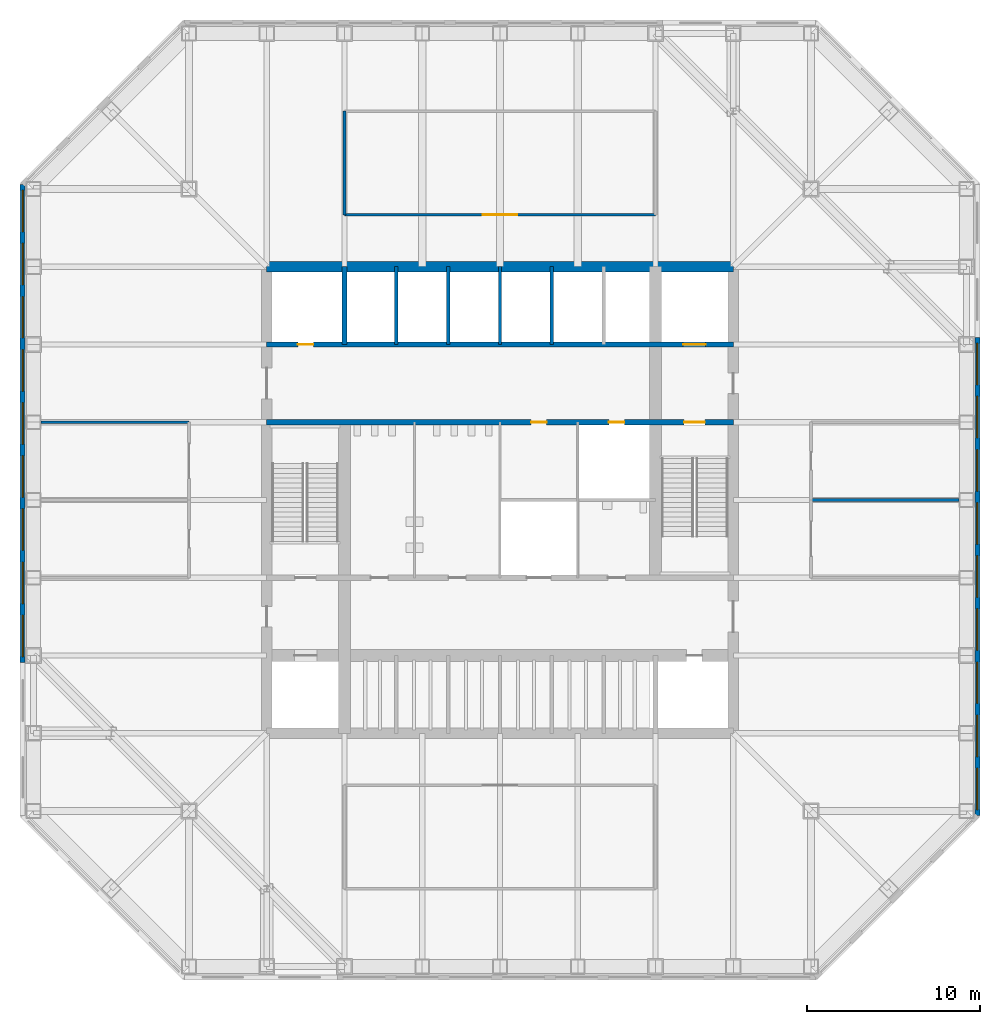
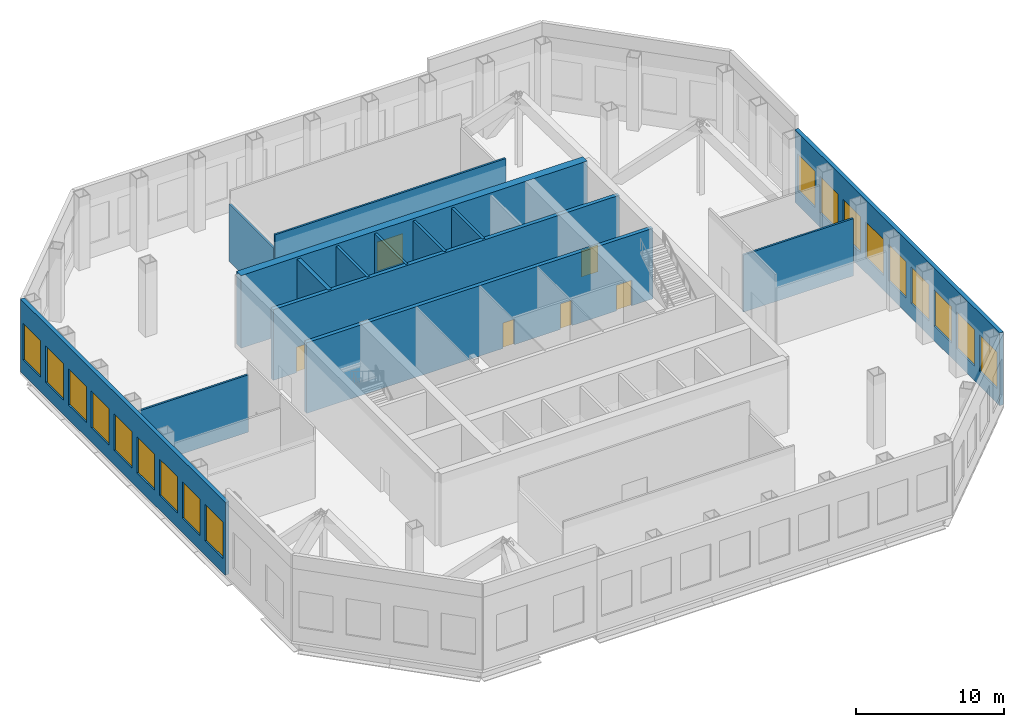
# One storey, part 7 of 11: 18 windows, 14 walls, 6 doors, 24 openings.
"""IFC4 building model written with IfcOpenShell, lengths in metres."""

from ifc_helpers import new_model, si_unit, direction, frame, frame_2d, origin, place, context, subcontext, project, spatial, rectangle, extrude, material, layer, layer_set, type_object, element, fill, save


model = new_model("IFC4")

# Units and contexts
model_context = context("Model", 3, precision=1e-05, world=origin(), true_north=direction((0.0, 1.0)))
body_context = subcontext(model_context, "Body", "Model", "MODEL_VIEW")
ifc_project = project(units=[si_unit("LENGTHUNIT", "METRE"), si_unit("AREAUNIT", "SQUARE_METRE"), si_unit("VOLUMEUNIT", "CUBIC_METRE"), si_unit("PLANEANGLEUNIT", "RADIAN"), si_unit("MASSUNIT", "GRAM", prefix="KILO")], contexts=[model_context])

# Site, building, storey
site_placement = place(None, origin())
site = spatial("IfcSite", under=ifc_project, at=site_placement, CompositionType="ELEMENT")
building_placement = place(site_placement, origin())
building = spatial("IfcBuilding", under=site, at=building_placement, Name="Corais Broadcast Tower", CompositionType="ELEMENT")
storey_placement = place(building_placement, frame((0.0, 0.0, 104.60009765625)))
storey = spatial("IfcBuildingStorey", under=building, at=storey_placement, Name="L23", CompositionType="ELEMENT", Elevation=104.60009765625)

# Wall
ifc_material_1 = material(Name="Concrete blockwork class A, grouted, two-hour", Category="masonry")
ifc_layer_1 = layer(ifc_material_1, 0.300048828125)
ifc_layer_set_1 = layer_set([ifc_layer_1], Name="Concrete blockwork class A, grouted, two-hour")
wall_type_1 = type_object("IfcWallType", Name="Core lobby wall 300", PredefinedType="SOLIDWALL", material=ifc_layer_set_1)
wall_1_placement = place(storey_placement, frame((18.0, 36.0, 0.0), z_axis=(0.0, 0.0, 1.0), x_axis=(0.0, 1.0, 0.0)))
element("IfcWall", 1, at=wall_1_placement, inside=storey, type_object=wall_type_1, Name="CL1 core shaft wall X18B L23", PredefinedType="SOLIDWALL", context=body_context, shape_type="SweptSolid", body=[
    extrude(rectangle(XDim=4.5, YDim=0.300048828125, at=frame_2d((2.25, 0.0))), origin(), (0.0, 0.0, 1.0), 5.81982421875),
])

# Wall, openings, doors
wall_2_placement = place(storey_placement, frame((13.5, 31.5, 0.0), z_axis=(0.0, 0.0, 1.0), x_axis=(1.0, 0.0, 0.0)))
wall_2 = element("IfcWall", 2, at=wall_2_placement, inside=storey, type_object=wall_type_1, Name="CL1 core lobby wall Y315 L23", PredefinedType="SOLIDWALL", context=body_context, shape_type="SweptSolid", body=[
    extrude(rectangle(XDim=27.0, YDim=0.300048828125, at=frame_2d((13.5, 0.0))), origin(), (0.0, 0.0, 1.0), 5.81982421875),
])
opening_1_placement = place(wall_2_placement, frame((24.14990234375, 0.0, 0.0)))
opening_1 = element("IfcOpeningElement", 3, at=opening_1_placement, cuts=wall_2, Name="Opening FD1", PredefinedType="OPENING", context=body_context, shape_type="SweptSolid", body=[
    extrude(rectangle(XDim=1.199951171875, YDim=2.10009765625, at=frame_2d((0.60009765625, 1.050048828125))), frame((0.0, 0.159912109375, 0.0), z_axis=(0.0, -1.0, 0.0), x_axis=(1.0, 0.0, 0.0)), (0.0, 0.0, 1.0), 0.320068359375),
])
opening_2_placement = place(wall_2_placement, frame((15.300048828125, 0.0, 0.0)))
opening_2 = element("IfcOpeningElement", 4, at=opening_2_placement, cuts=wall_2, Name="Opening RD1", PredefinedType="OPENING", context=body_context, shape_type="SweptSolid", body=[
    extrude(rectangle(XDim=0.89990234375, YDim=2.10009765625, at=frame_2d((0.449951171875, 1.050048828125))), frame((0.0, 0.159912109375, 0.0), z_axis=(0.0, -1.0, 0.0), x_axis=(1.0, 0.0, 0.0)), (0.0, 0.0, 1.0), 0.320068359375),
])
opening_3_placement = place(wall_2_placement, frame((19.800048828125, 0.0, 0.0)))
opening_3 = element("IfcOpeningElement", 5, at=opening_3_placement, cuts=wall_2, Name="Opening RD1", PredefinedType="OPENING", context=body_context, shape_type="SweptSolid", body=[
    extrude(rectangle(XDim=0.89990234375, YDim=2.10009765625, at=frame_2d((0.449951171875, 1.050048828125))), frame((0.0, 0.159912109375, 0.0), z_axis=(0.0, -1.0, 0.0), x_axis=(1.0, 0.0, 0.0)), (0.0, 0.0, 1.0), 0.320068359375),
])
ifc_material_2 = material(Name="Steel fire door", Category="steel")
door_type_1 = type_object("IfcDoorType", Name="Fire door 1200x2100", OperationType="SINGLE_SWING_LEFT", PredefinedType="DOOR", material=ifc_material_2)
door_1_placement = place(opening_1_placement, origin())
door_1 = element("IfcDoor", 6, at=door_1_placement, inside=storey, type_object=door_type_1, Name="FD1 stair B door L23", OperationType="SINGLE_SWING_RIGHT", OverallHeight=2.10009765625, OverallWidth=1.199951171875, PredefinedType="DOOR", context=body_context, shape_type="SweptSolid", body=[
    extrude(rectangle(XDim=1.199951171875, YDim=2.10009765625, at=frame_2d((0.60009765625, 1.050048828125))), frame((0.0, 0.02490234375, 0.0), z_axis=(0.0, -1.0, 0.0), x_axis=(1.0, 0.0, 0.0)), (0.0, 0.0, 1.0), 0.050048828125),
])
fill(opening_1, door_1)
ifc_material_3 = material(Name="Steel fire door", Category="steel")
door_type_2 = type_object("IfcDoorType", Name="Riser door 900x2100", OperationType="SINGLE_SWING_LEFT", PredefinedType="DOOR", material=ifc_material_3)
door_2_placement = place(opening_2_placement, origin())
door_2 = element("IfcDoor", 7, at=door_2_placement, inside=storey, type_object=door_type_2, Name="RD1 stationery store door L23", OperationType="SINGLE_SWING_RIGHT", OverallHeight=2.10009765625, OverallWidth=0.89990234375, PredefinedType="DOOR", context=body_context, shape_type="SweptSolid", body=[
    extrude(rectangle(XDim=0.89990234375, YDim=2.10009765625, at=frame_2d((0.449951171875, 1.050048828125))), frame((0.0, 0.02490234375, 0.0), z_axis=(0.0, -1.0, 0.0), x_axis=(1.0, 0.0, 0.0)), (0.0, 0.0, 1.0), 0.050048828125),
])
fill(opening_2, door_2)
door_3_placement = place(opening_3_placement, origin())
door_3 = element("IfcDoor", 8, at=door_3_placement, inside=storey, type_object=door_type_2, Name="RD1 riser door L23", OperationType="SINGLE_SWING_RIGHT", OverallHeight=2.10009765625, OverallWidth=0.89990234375, PredefinedType="DOOR", context=body_context, shape_type="SweptSolid", body=[
    extrude(rectangle(XDim=0.89990234375, YDim=2.10009765625, at=frame_2d((0.449951171875, 1.050048828125))), frame((0.0, 0.02490234375, 0.0), z_axis=(0.0, -1.0, 0.0), x_axis=(1.0, 0.0, 0.0)), (0.0, 0.0, 1.0), 0.050048828125),
])
fill(opening_3, door_3)

# Wall
ifc_material_4 = material(Name="Concrete C50/60", Category="concrete")
ifc_layer_2 = layer(ifc_material_4, 0.60009765625)
ifc_layer_set_2 = layer_set([ifc_layer_2], Name="Concrete C50/60")
wall_type_2 = type_object("IfcWallType", Name="Core wall 600", PredefinedType="SHEAR", material=ifc_layer_set_2)
wall_3_placement = place(storey_placement, frame((40.5, 40.5, 0.0), z_axis=(0.0, 0.0, 1.0), x_axis=(-1.0, 0.0, 0.0)))
element("IfcWall", 9, at=wall_3_placement, inside=storey, type_object=wall_type_2, Name="CR600 core wall N L23", PredefinedType="SHEAR", context=body_context, shape_type="SweptSolid", body=[
    extrude(rectangle(XDim=27.0, YDim=0.60009765625, at=frame_2d((13.5, 0.0))), origin(), (0.0, 0.0, 1.0), 6.0),
])

# Wall, openings, doors
ifc_material_5 = material(Name="Concrete blockwork class A, grouted, four-hour", Category="masonry")
ifc_layer_3 = layer(ifc_material_5, 0.300048828125)
ifc_layer_set_3 = layer_set([ifc_layer_3], Name="Concrete blockwork class A, grouted, four-hour")
wall_type_3 = type_object("IfcWallType", Name="Emergency lift shaft wall 300", PredefinedType="SOLIDWALL", material=ifc_layer_set_3)
wall_4_placement = place(storey_placement, frame((13.5, 36.0, 0.0), z_axis=(0.0, 0.0, 1.0), x_axis=(1.0, 0.0, 0.0)))
wall_4 = element("IfcWall", 10, at=wall_4_placement, inside=storey, type_object=wall_type_3, Name="LS1 core lobby wall Y36 L23", PredefinedType="SOLIDWALL", context=body_context, shape_type="SweptSolid", body=[
    extrude(rectangle(XDim=27.0, YDim=0.300048828125, at=frame_2d((13.5, 0.0))), origin(), (0.0, 0.0, 1.0), 5.81982421875),
])
opening_4_placement = place(wall_4_placement, frame((1.800048828125, 0.0, 0.0)))
opening_4 = element("IfcOpeningElement", 11, at=opening_4_placement, cuts=wall_4, Name="Opening RD1", PredefinedType="OPENING", context=body_context, shape_type="SweptSolid", body=[
    extrude(rectangle(XDim=0.89990234375, YDim=2.10009765625, at=frame_2d((0.449951171875, 1.050048828125))), frame((0.0, 0.159912109375, 0.0), z_axis=(0.0, -1.0, 0.0), x_axis=(1.0, 0.0, 0.0)), (0.0, 0.0, 1.0), 0.320068359375),
])
opening_5_placement = place(wall_4_placement, frame((24.10009765625, 0.0, 0.0)))
opening_5 = element("IfcOpeningElement", 12, at=opening_5_placement, cuts=wall_4, Name="Opening LD2", PredefinedType="OPENING", context=body_context, shape_type="SweptSolid", body=[
    extrude(rectangle(XDim=1.300048828125, YDim=2.199951171875, at=frame_2d((0.64990234375, 1.10009765625))), frame((0.0, 0.159912109375, 0.0), z_axis=(0.0, -1.0, 0.0), x_axis=(1.0, 0.0, 0.0)), (0.0, 0.0, 1.0), 0.320068359375),
])
ifc_material_6 = material(Name="Stainless steel lift door", Category="steel")
door_type_3 = type_object("IfcDoorType", Name="Lift landing door 1300x2200", OperationType="SLIDING_TO_LEFT", PredefinedType="DOOR", material=ifc_material_6)
door_4_placement = place(opening_5_placement, origin())
door_4 = element("IfcDoor", 13, at=door_4_placement, inside=storey, type_object=door_type_3, Name="LD2 FL2 landing door L23", OperationType="SLIDING_TO_LEFT", OverallHeight=2.199951171875, OverallWidth=1.300048828125, PredefinedType="DOOR", context=body_context, shape_type="SweptSolid", body=[
    extrude(rectangle(XDim=1.300048828125, YDim=2.199951171875, at=frame_2d((0.64990234375, 1.10009765625))), frame((0.0, 0.02490234375, 0.0), z_axis=(0.0, -1.0, 0.0), x_axis=(1.0, 0.0, 0.0)), (0.0, 0.0, 1.0), 0.050048828125),
])
fill(opening_5, door_4)
door_5_placement = place(opening_4_placement, origin())
door_5 = element("IfcDoor", 14, at=door_5_placement, inside=storey, type_object=door_type_2, Name="RD1 riser door L23", OperationType="SINGLE_SWING_LEFT", OverallHeight=2.10009765625, OverallWidth=0.89990234375, PredefinedType="DOOR", context=body_context, shape_type="SweptSolid", body=[
    extrude(rectangle(XDim=0.89990234375, YDim=2.10009765625, at=frame_2d((0.449951171875, 1.050048828125))), frame((0.0, 0.02490234375, 0.0), z_axis=(0.0, -1.0, 0.0), x_axis=(1.0, 0.0, 0.0)), (0.0, 0.0, 1.0), 0.050048828125),
])
fill(opening_4, door_5)

# Wall, opening, door
ifc_material_7 = material(Name="Two layers of fire-rated gypsum board each side on steel studs", Category="steel")
ifc_layer_4 = layer(ifc_material_7, 0.14990234375)
ifc_layer_set_4 = layer_set([ifc_layer_4], Name="Two layers of fire-rated gypsum board each side on steel studs")
wall_type_4 = type_object("IfcWallType", Name="Fire-rated partition 150 EI 60", PredefinedType="PARTITIONING", material=ifc_layer_set_4)
wall_5_placement = place(storey_placement, frame((18.0, 43.5, 0.0), z_axis=(0.0, 0.0, 1.0), x_axis=(1.0, 0.0, 0.0)))
wall_5 = element("IfcWall", 15, at=wall_5_placement, inside=storey, type_object=wall_type_4, Name="IW7 partition L23", PredefinedType="PARTITIONING", context=body_context, shape_type="SweptSolid", body=[
    extrude(rectangle(XDim=18.0, YDim=0.14990234375, at=frame_2d((9.0, 0.0))), origin(), (0.0, 0.0, 1.0), 5.81982421875),
])
opening_6_placement = place(wall_5_placement, frame((8.0, 0.0, 0.0)))
opening_6 = element("IfcOpeningElement", 16, at=opening_6_placement, cuts=wall_5, Name="Opening D4", PredefinedType="OPENING", context=body_context, shape_type="SweptSolid", body=[
    extrude(rectangle(XDim=2.0, YDim=2.39990234375, at=frame_2d((1.0, 1.199951171875))), frame((0.0, 0.0849609375, 0.0), z_axis=(0.0, -1.0, 0.0), x_axis=(1.0, 0.0, 0.0)), (0.0, 0.0, 1.0), 0.169921875),
])
ifc_material_8 = material(Name="Steel door", Category="steel")
door_type_4 = type_object("IfcDoorType", Name="Plant room door pair 2000x2400", OperationType="DOUBLE_DOOR_SINGLE_SWING", PredefinedType="DOOR", material=ifc_material_8)
door_6_placement = place(opening_6_placement, origin())
door_6 = element("IfcDoor", 17, at=door_6_placement, inside=storey, type_object=door_type_4, Name="D4 Water tank room door", OperationType="SINGLE_SWING_LEFT", OverallHeight=2.39990234375, OverallWidth=2.0, PredefinedType="DOOR", context=body_context, shape_type="SweptSolid", body=[
    extrude(rectangle(XDim=2.0, YDim=2.39990234375, at=frame_2d((1.0, 1.199951171875))), frame((0.0, 0.02490234375, 0.0), z_axis=(0.0, -1.0, 0.0), x_axis=(1.0, 0.0, 0.0)), (0.0, 0.0, 1.0), 0.050048828125),
])
fill(opening_6, door_6)

# Walls
wall_6_placement = place(storey_placement, frame((18.0, 49.5, 0.0), z_axis=(0.0, 0.0, 1.0), x_axis=(0.0, -1.0, 0.0)))
element("IfcWall", 18, at=wall_6_placement, inside=storey, type_object=wall_type_4, Name="IW7 partition L23", PredefinedType="PARTITIONING", context=body_context, shape_type="SweptSolid", body=[
    extrude(rectangle(XDim=6.0, YDim=0.14990234375, at=frame_2d((3.0, 0.0))), origin(), (0.0, 0.0, 1.0), 4.719970703125),
])
for number, where, z_axis, x_axis, name in (
    (19, (9.0, 31.5, 0.0), (0.0, 0.0, 1.0), (-1.0, 0.0, 0.0), "IW7 partition L23"),
    (20, (53.56494140625, 27.0, 0.0), (0.0, 0.0, 1.0), (-1.0, 0.0, 0.0), "IW7 partition L23"),
):
    element("IfcWall", number, at=place(storey_placement, frame(where, z_axis=z_axis, x_axis=x_axis)), inside=storey, type_object=wall_type_4, Name=name, PredefinedType="PARTITIONING", context=body_context, shape_type="SweptSolid", body=[
        extrude(rectangle(XDim=8.56494140625, YDim=0.14990234375, at=frame_2d((4.282470703125, 0.0))), origin(), (0.0, 0.0, 1.0), 4.719970703125),
    ])
ifc_material_9 = material(Name="Concrete blockwork class A, grouted, two-hour", Category="masonry")
ifc_layer_5 = layer(ifc_material_9, 0.199951171875)
ifc_layer_set_5 = layer_set([ifc_layer_5], Name="Concrete blockwork class A, grouted, two-hour")
wall_type_5 = type_object("IfcWallType", Name="Shaft wall 200", PredefinedType="PARTITIONING", material=ifc_layer_set_5)
for number, where, z_axis, x_axis, name in (
    (21, (21.0, 36.0, 0.0), (0.0, 0.0, 1.0), (0.0, 1.0, 0.0), "IW1 shaft wall L23"),
    (22, (24.0, 36.0, 0.0), (0.0, 0.0, 1.0), (0.0, 1.0, 0.0), "IW1 shaft wall L23"),
    (23, (27.0, 36.0, 0.0), (0.0, 0.0, 1.0), (0.0, 1.0, 0.0), "IW1 shaft wall L23"),
    (24, (30.0, 36.0, 0.0), (0.0, 0.0, 1.0), (0.0, 1.0, 0.0), "IW1 shaft wall L23"),
):
    element("IfcWall", number, at=place(storey_placement, frame(where, z_axis=z_axis, x_axis=x_axis)), inside=storey, type_object=wall_type_5, Name=name, PredefinedType="PARTITIONING", context=body_context, shape_type="SweptSolid", body=[
        extrude(rectangle(XDim=4.5, YDim=0.199951171875, at=frame_2d((2.25, 0.0))), origin(), (0.0, 0.0, 1.0), 5.81982421875),
    ])

# Wall, openings, windows
ifc_material_10 = material(Name="Precast concrete C40/50", Category="concrete")
ifc_layer_6 = layer(ifc_material_10, 0.300048828125)
ifc_layer_set_6 = layer_set([ifc_layer_6], Name="Precast concrete C40/50")
wall_type_6 = type_object("IfcWallType", Name="Stone-faced precast wall 300", PredefinedType="SOLIDWALL", material=ifc_layer_set_6)
wall_7_placement = place(storey_placement, frame((-0.6298828125, 17.59765625, 0.0), z_axis=(0.0, 0.0, 1.0), x_axis=(0.0, 1.0, 0.0)))
wall_7 = element("IfcWall", 25, at=wall_7_placement, inside=storey, type_object=wall_type_6, Name="EW1 external wall L23 2", PredefinedType="SOLIDWALL", context=body_context, shape_type="SweptSolid", body=[
    extrude(rectangle(XDim=27.663330078125, YDim=0.300048828125, at=frame_2d((13.83154296875, 0.0))), origin(), (0.0, 0.0, 1.0), 6.0),
])
opening_7_placement = place(wall_7_placement, frame((0.3369140625, 0.0, 1.199951171875)))
opening_7 = element("IfcOpeningElement", 26, at=opening_7_placement, cuts=wall_7, Name="Opening LV1", PredefinedType="OPENING", context=body_context, shape_type="SweptSolid", body=[
    extrude(rectangle(XDim=2.39990234375, YDim=3.0, at=frame_2d((1.199951171875, 1.5))), frame((0.0, 0.159912109375, 0.0), z_axis=(0.0, -1.0, 0.0), x_axis=(1.0, 0.0, 0.0)), (0.0, 0.0, 1.0), 0.320068359375),
])
opening_8_placement = place(wall_7_placement, frame((3.41064453125, 0.0, 1.199951171875)))
opening_8 = element("IfcOpeningElement", 27, at=opening_8_placement, cuts=wall_7, Name="Opening LV1", PredefinedType="OPENING", context=body_context, shape_type="SweptSolid", body=[
    extrude(rectangle(XDim=2.39990234375, YDim=3.0, at=frame_2d((1.199951171875, 1.5))), frame((0.0, 0.159912109375, 0.0), z_axis=(0.0, -1.0, 0.0), x_axis=(1.0, 0.0, 0.0)), (0.0, 0.0, 1.0), 0.320068359375),
])
opening_9_placement = place(wall_7_placement, frame((6.484375, 0.0, 1.199951171875)))
opening_9 = element("IfcOpeningElement", 28, at=opening_9_placement, cuts=wall_7, Name="Opening LV1", PredefinedType="OPENING", context=body_context, shape_type="SweptSolid", body=[
    extrude(rectangle(XDim=2.39990234375, YDim=3.0, at=frame_2d((1.199951171875, 1.5))), frame((0.0, 0.159912109375, 0.0), z_axis=(0.0, -1.0, 0.0), x_axis=(1.0, 0.0, 0.0)), (0.0, 0.0, 1.0), 0.320068359375),
])
opening_10_placement = place(wall_7_placement, frame((9.55810546875, 0.0, 1.199951171875)))
opening_10 = element("IfcOpeningElement", 29, at=opening_10_placement, cuts=wall_7, Name="Opening LV1", PredefinedType="OPENING", context=body_context, shape_type="SweptSolid", body=[
    extrude(rectangle(XDim=2.39990234375, YDim=3.0, at=frame_2d((1.199951171875, 1.5))), frame((0.0, 0.159912109375, 0.0), z_axis=(0.0, -1.0, 0.0), x_axis=(1.0, 0.0, 0.0)), (0.0, 0.0, 1.0), 0.320068359375),
])
opening_11_placement = place(wall_7_placement, frame((12.631591796875, 0.0, 1.199951171875)))
opening_11 = element("IfcOpeningElement", 30, at=opening_11_placement, cuts=wall_7, Name="Opening LV1", PredefinedType="OPENING", context=body_context, shape_type="SweptSolid", body=[
    extrude(rectangle(XDim=2.39990234375, YDim=3.0, at=frame_2d((1.199951171875, 1.5))), frame((0.0, 0.159912109375, 0.0), z_axis=(0.0, -1.0, 0.0), x_axis=(1.0, 0.0, 0.0)), (0.0, 0.0, 1.0), 0.320068359375),
])
opening_12_placement = place(wall_7_placement, frame((15.705322265625, 0.0, 1.199951171875)))
opening_12 = element("IfcOpeningElement", 31, at=opening_12_placement, cuts=wall_7, Name="Opening LV1", PredefinedType="OPENING", context=body_context, shape_type="SweptSolid", body=[
    extrude(rectangle(XDim=2.39990234375, YDim=3.0, at=frame_2d((1.199951171875, 1.5))), frame((0.0, 0.159912109375, 0.0), z_axis=(0.0, -1.0, 0.0), x_axis=(1.0, 0.0, 0.0)), (0.0, 0.0, 1.0), 0.320068359375),
])
opening_13_placement = place(wall_7_placement, frame((18.779052734375, 0.0, 1.199951171875)))
opening_13 = element("IfcOpeningElement", 32, at=opening_13_placement, cuts=wall_7, Name="Opening LV1", PredefinedType="OPENING", context=body_context, shape_type="SweptSolid", body=[
    extrude(rectangle(XDim=2.39990234375, YDim=3.0, at=frame_2d((1.199951171875, 1.5))), frame((0.0, 0.159912109375, 0.0), z_axis=(0.0, -1.0, 0.0), x_axis=(1.0, 0.0, 0.0)), (0.0, 0.0, 1.0), 0.320068359375),
])
opening_14_placement = place(wall_7_placement, frame((21.852783203125, 0.0, 1.199951171875)))
opening_14 = element("IfcOpeningElement", 33, at=opening_14_placement, cuts=wall_7, Name="Opening LV1", PredefinedType="OPENING", context=body_context, shape_type="SweptSolid", body=[
    extrude(rectangle(XDim=2.39990234375, YDim=3.0, at=frame_2d((1.199951171875, 1.5))), frame((0.0, 0.159912109375, 0.0), z_axis=(0.0, -1.0, 0.0), x_axis=(1.0, 0.0, 0.0)), (0.0, 0.0, 1.0), 0.320068359375),
])
opening_15_placement = place(wall_7_placement, frame((24.926513671875, 0.0, 1.199951171875)))
opening_15 = element("IfcOpeningElement", 34, at=opening_15_placement, cuts=wall_7, Name="Opening LV1", PredefinedType="OPENING", context=body_context, shape_type="SweptSolid", body=[
    extrude(rectangle(XDim=2.39990234375, YDim=3.0, at=frame_2d((1.199951171875, 1.5))), frame((0.0, 0.159912109375, 0.0), z_axis=(0.0, -1.0, 0.0), x_axis=(1.0, 0.0, 0.0)), (0.0, 0.0, 1.0), 0.320068359375),
])
ifc_material_11 = material(Name="Aluminium frame", Category="aluminium")
window_type = type_object("IfcWindowType", Name="Plant louvre 2400x3000", PartitioningType="SINGLE_PANEL", PredefinedType="USERDEFINED", material=ifc_material_11)
window_1_placement = place(opening_7_placement, origin())
window_1 = element("IfcWindow", 35, at=window_1_placement, inside=storey, type_object=window_type, Name="LV1 window L23", ObjectType="LOUVRE", OverallHeight=3.0, OverallWidth=2.39990234375, PartitioningType="SINGLE_PANEL", PredefinedType="USERDEFINED", context=body_context, shape_type="SweptSolid", body=[
    extrude(rectangle(XDim=2.39990234375, YDim=3.0, at=frame_2d((1.199951171875, 1.5))), frame((0.0, 0.030029296875, 0.0), z_axis=(0.0, -1.0, 0.0), x_axis=(1.0, 0.0, 0.0)), (0.0, 0.0, 1.0), 0.06005859375),
])
fill(opening_7, window_1)
window_2_placement = place(opening_8_placement, origin())
window_2 = element("IfcWindow", 36, at=window_2_placement, inside=storey, type_object=window_type, Name="LV1 window L23", ObjectType="LOUVRE", OverallHeight=3.0, OverallWidth=2.39990234375, PartitioningType="SINGLE_PANEL", PredefinedType="USERDEFINED", context=body_context, shape_type="SweptSolid", body=[
    extrude(rectangle(XDim=2.39990234375, YDim=3.0, at=frame_2d((1.199951171875, 1.5))), frame((0.0, 0.030029296875, 0.0), z_axis=(0.0, -1.0, 0.0), x_axis=(1.0, 0.0, 0.0)), (0.0, 0.0, 1.0), 0.06005859375),
])
fill(opening_8, window_2)
window_3_placement = place(opening_9_placement, origin())
window_3 = element("IfcWindow", 37, at=window_3_placement, inside=storey, type_object=window_type, Name="LV1 window L23", ObjectType="LOUVRE", OverallHeight=3.0, OverallWidth=2.39990234375, PartitioningType="SINGLE_PANEL", PredefinedType="USERDEFINED", context=body_context, shape_type="SweptSolid", body=[
    extrude(rectangle(XDim=2.39990234375, YDim=3.0, at=frame_2d((1.199951171875, 1.5))), frame((0.0, 0.030029296875, 0.0), z_axis=(0.0, -1.0, 0.0), x_axis=(1.0, 0.0, 0.0)), (0.0, 0.0, 1.0), 0.06005859375),
])
fill(opening_9, window_3)
window_4_placement = place(opening_10_placement, origin())
window_4 = element("IfcWindow", 38, at=window_4_placement, inside=storey, type_object=window_type, Name="LV1 window L23", ObjectType="LOUVRE", OverallHeight=3.0, OverallWidth=2.39990234375, PartitioningType="SINGLE_PANEL", PredefinedType="USERDEFINED", context=body_context, shape_type="SweptSolid", body=[
    extrude(rectangle(XDim=2.39990234375, YDim=3.0, at=frame_2d((1.199951171875, 1.5))), frame((0.0, 0.030029296875, 0.0), z_axis=(0.0, -1.0, 0.0), x_axis=(1.0, 0.0, 0.0)), (0.0, 0.0, 1.0), 0.06005859375),
])
fill(opening_10, window_4)
window_5_placement = place(opening_11_placement, origin())
window_5 = element("IfcWindow", 39, at=window_5_placement, inside=storey, type_object=window_type, Name="LV1 window L23", ObjectType="LOUVRE", OverallHeight=3.0, OverallWidth=2.39990234375, PartitioningType="SINGLE_PANEL", PredefinedType="USERDEFINED", context=body_context, shape_type="SweptSolid", body=[
    extrude(rectangle(XDim=2.39990234375, YDim=3.0, at=frame_2d((1.199951171875, 1.5))), frame((0.0, 0.030029296875, 0.0), z_axis=(0.0, -1.0, 0.0), x_axis=(1.0, 0.0, 0.0)), (0.0, 0.0, 1.0), 0.06005859375),
])
fill(opening_11, window_5)
window_6_placement = place(opening_12_placement, origin())
window_6 = element("IfcWindow", 40, at=window_6_placement, inside=storey, type_object=window_type, Name="LV1 window L23", ObjectType="LOUVRE", OverallHeight=3.0, OverallWidth=2.39990234375, PartitioningType="SINGLE_PANEL", PredefinedType="USERDEFINED", context=body_context, shape_type="SweptSolid", body=[
    extrude(rectangle(XDim=2.39990234375, YDim=3.0, at=frame_2d((1.199951171875, 1.5))), frame((0.0, 0.030029296875, 0.0), z_axis=(0.0, -1.0, 0.0), x_axis=(1.0, 0.0, 0.0)), (0.0, 0.0, 1.0), 0.06005859375),
])
fill(opening_12, window_6)
window_7_placement = place(opening_13_placement, origin())
window_7 = element("IfcWindow", 41, at=window_7_placement, inside=storey, type_object=window_type, Name="LV1 window L23", ObjectType="LOUVRE", OverallHeight=3.0, OverallWidth=2.39990234375, PartitioningType="SINGLE_PANEL", PredefinedType="USERDEFINED", context=body_context, shape_type="SweptSolid", body=[
    extrude(rectangle(XDim=2.39990234375, YDim=3.0, at=frame_2d((1.199951171875, 1.5))), frame((0.0, 0.030029296875, 0.0), z_axis=(0.0, -1.0, 0.0), x_axis=(1.0, 0.0, 0.0)), (0.0, 0.0, 1.0), 0.06005859375),
])
fill(opening_13, window_7)
window_8_placement = place(opening_14_placement, origin())
window_8 = element("IfcWindow", 42, at=window_8_placement, inside=storey, type_object=window_type, Name="LV1 window L23", ObjectType="LOUVRE", OverallHeight=3.0, OverallWidth=2.39990234375, PartitioningType="SINGLE_PANEL", PredefinedType="USERDEFINED", context=body_context, shape_type="SweptSolid", body=[
    extrude(rectangle(XDim=2.39990234375, YDim=3.0, at=frame_2d((1.199951171875, 1.5))), frame((0.0, 0.030029296875, 0.0), z_axis=(0.0, -1.0, 0.0), x_axis=(1.0, 0.0, 0.0)), (0.0, 0.0, 1.0), 0.06005859375),
])
fill(opening_14, window_8)
window_9_placement = place(opening_15_placement, origin())
window_9 = element("IfcWindow", 43, at=window_9_placement, inside=storey, type_object=window_type, Name="LV1 window L23", ObjectType="LOUVRE", OverallHeight=3.0, OverallWidth=2.39990234375, PartitioningType="SINGLE_PANEL", PredefinedType="USERDEFINED", context=body_context, shape_type="SweptSolid", body=[
    extrude(rectangle(XDim=2.39990234375, YDim=3.0, at=frame_2d((1.199951171875, 1.5))), frame((0.0, 0.030029296875, 0.0), z_axis=(0.0, -1.0, 0.0), x_axis=(1.0, 0.0, 0.0)), (0.0, 0.0, 1.0), 0.06005859375),
])
fill(opening_15, window_9)

wall_8_placement = place(storey_placement, frame((54.6298828125, 36.40234375, 0.0), z_axis=(0.0, 0.0, 1.0), x_axis=(0.0, -1.0, 0.0)))
wall_8 = element("IfcWall", 44, at=wall_8_placement, inside=storey, type_object=wall_type_6, Name="EW1 external wall L23 6", PredefinedType="SOLIDWALL", context=body_context, shape_type="SweptSolid", body=[
    extrude(rectangle(XDim=27.663330078125, YDim=0.300048828125, at=frame_2d((13.83154296875, 0.0))), origin(), (0.0, 0.0, 1.0), 6.0),
])
opening_16_placement = place(wall_8_placement, frame((0.3369140625, 0.0, 1.199951171875)))
opening_16 = element("IfcOpeningElement", 45, at=opening_16_placement, cuts=wall_8, Name="Opening LV1", PredefinedType="OPENING", context=body_context, shape_type="SweptSolid", body=[
    extrude(rectangle(XDim=2.39990234375, YDim=3.0, at=frame_2d((1.199951171875, 1.5))), frame((0.0, 0.159912109375, 0.0), z_axis=(0.0, -1.0, 0.0), x_axis=(1.0, 0.0, 0.0)), (0.0, 0.0, 1.0), 0.320068359375),
])
opening_17_placement = place(wall_8_placement, frame((3.41064453125, 0.0, 1.199951171875)))
opening_17 = element("IfcOpeningElement", 46, at=opening_17_placement, cuts=wall_8, Name="Opening LV1", PredefinedType="OPENING", context=body_context, shape_type="SweptSolid", body=[
    extrude(rectangle(XDim=2.39990234375, YDim=3.0, at=frame_2d((1.199951171875, 1.5))), frame((0.0, 0.159912109375, 0.0), z_axis=(0.0, -1.0, 0.0), x_axis=(1.0, 0.0, 0.0)), (0.0, 0.0, 1.0), 0.320068359375),
])
opening_18_placement = place(wall_8_placement, frame((6.484375, 0.0, 1.199951171875)))
opening_18 = element("IfcOpeningElement", 47, at=opening_18_placement, cuts=wall_8, Name="Opening LV1", PredefinedType="OPENING", context=body_context, shape_type="SweptSolid", body=[
    extrude(rectangle(XDim=2.39990234375, YDim=3.0, at=frame_2d((1.199951171875, 1.5))), frame((0.0, 0.159912109375, 0.0), z_axis=(0.0, -1.0, 0.0), x_axis=(1.0, 0.0, 0.0)), (0.0, 0.0, 1.0), 0.320068359375),
])
opening_19_placement = place(wall_8_placement, frame((9.55810546875, 0.0, 1.199951171875)))
opening_19 = element("IfcOpeningElement", 48, at=opening_19_placement, cuts=wall_8, Name="Opening LV1", PredefinedType="OPENING", context=body_context, shape_type="SweptSolid", body=[
    extrude(rectangle(XDim=2.39990234375, YDim=3.0, at=frame_2d((1.199951171875, 1.5))), frame((0.0, 0.159912109375, 0.0), z_axis=(0.0, -1.0, 0.0), x_axis=(1.0, 0.0, 0.0)), (0.0, 0.0, 1.0), 0.320068359375),
])
opening_20_placement = place(wall_8_placement, frame((12.631591796875, 0.0, 1.199951171875)))
opening_20 = element("IfcOpeningElement", 49, at=opening_20_placement, cuts=wall_8, Name="Opening LV1", PredefinedType="OPENING", context=body_context, shape_type="SweptSolid", body=[
    extrude(rectangle(XDim=2.39990234375, YDim=3.0, at=frame_2d((1.199951171875, 1.5))), frame((0.0, 0.159912109375, 0.0), z_axis=(0.0, -1.0, 0.0), x_axis=(1.0, 0.0, 0.0)), (0.0, 0.0, 1.0), 0.320068359375),
])
opening_21_placement = place(wall_8_placement, frame((15.705322265625, 0.0, 1.199951171875)))
opening_21 = element("IfcOpeningElement", 50, at=opening_21_placement, cuts=wall_8, Name="Opening LV1", PredefinedType="OPENING", context=body_context, shape_type="SweptSolid", body=[
    extrude(rectangle(XDim=2.39990234375, YDim=3.0, at=frame_2d((1.199951171875, 1.5))), frame((0.0, 0.159912109375, 0.0), z_axis=(0.0, -1.0, 0.0), x_axis=(1.0, 0.0, 0.0)), (0.0, 0.0, 1.0), 0.320068359375),
])
opening_22_placement = place(wall_8_placement, frame((18.779052734375, 0.0, 1.199951171875)))
opening_22 = element("IfcOpeningElement", 51, at=opening_22_placement, cuts=wall_8, Name="Opening LV1", PredefinedType="OPENING", context=body_context, shape_type="SweptSolid", body=[
    extrude(rectangle(XDim=2.39990234375, YDim=3.0, at=frame_2d((1.199951171875, 1.5))), frame((0.0, 0.159912109375, 0.0), z_axis=(0.0, -1.0, 0.0), x_axis=(1.0, 0.0, 0.0)), (0.0, 0.0, 1.0), 0.320068359375),
])
opening_23_placement = place(wall_8_placement, frame((21.852783203125, 0.0, 1.199951171875)))
opening_23 = element("IfcOpeningElement", 52, at=opening_23_placement, cuts=wall_8, Name="Opening LV1", PredefinedType="OPENING", context=body_context, shape_type="SweptSolid", body=[
    extrude(rectangle(XDim=2.39990234375, YDim=3.0, at=frame_2d((1.199951171875, 1.5))), frame((0.0, 0.159912109375, 0.0), z_axis=(0.0, -1.0, 0.0), x_axis=(1.0, 0.0, 0.0)), (0.0, 0.0, 1.0), 0.320068359375),
])
opening_24_placement = place(wall_8_placement, frame((24.926513671875, 0.0, 1.199951171875)))
opening_24 = element("IfcOpeningElement", 53, at=opening_24_placement, cuts=wall_8, Name="Opening LV1", PredefinedType="OPENING", context=body_context, shape_type="SweptSolid", body=[
    extrude(rectangle(XDim=2.39990234375, YDim=3.0, at=frame_2d((1.199951171875, 1.5))), frame((0.0, 0.159912109375, 0.0), z_axis=(0.0, -1.0, 0.0), x_axis=(1.0, 0.0, 0.0)), (0.0, 0.0, 1.0), 0.320068359375),
])
window_10_placement = place(opening_16_placement, origin())
window_10 = element("IfcWindow", 54, at=window_10_placement, inside=storey, type_object=window_type, Name="LV1 window L23", ObjectType="LOUVRE", OverallHeight=3.0, OverallWidth=2.39990234375, PartitioningType="SINGLE_PANEL", PredefinedType="USERDEFINED", context=body_context, shape_type="SweptSolid", body=[
    extrude(rectangle(XDim=2.39990234375, YDim=3.0, at=frame_2d((1.199951171875, 1.5))), frame((0.0, 0.030029296875, 0.0), z_axis=(0.0, -1.0, 0.0), x_axis=(1.0, 0.0, 0.0)), (0.0, 0.0, 1.0), 0.06005859375),
])
fill(opening_16, window_10)
window_11_placement = place(opening_17_placement, origin())
window_11 = element("IfcWindow", 55, at=window_11_placement, inside=storey, type_object=window_type, Name="LV1 window L23", ObjectType="LOUVRE", OverallHeight=3.0, OverallWidth=2.39990234375, PartitioningType="SINGLE_PANEL", PredefinedType="USERDEFINED", context=body_context, shape_type="SweptSolid", body=[
    extrude(rectangle(XDim=2.39990234375, YDim=3.0, at=frame_2d((1.199951171875, 1.5))), frame((0.0, 0.030029296875, 0.0), z_axis=(0.0, -1.0, 0.0), x_axis=(1.0, 0.0, 0.0)), (0.0, 0.0, 1.0), 0.06005859375),
])
fill(opening_17, window_11)
window_12_placement = place(opening_18_placement, origin())
window_12 = element("IfcWindow", 56, at=window_12_placement, inside=storey, type_object=window_type, Name="LV1 window L23", ObjectType="LOUVRE", OverallHeight=3.0, OverallWidth=2.39990234375, PartitioningType="SINGLE_PANEL", PredefinedType="USERDEFINED", context=body_context, shape_type="SweptSolid", body=[
    extrude(rectangle(XDim=2.39990234375, YDim=3.0, at=frame_2d((1.199951171875, 1.5))), frame((0.0, 0.030029296875, 0.0), z_axis=(0.0, -1.0, 0.0), x_axis=(1.0, 0.0, 0.0)), (0.0, 0.0, 1.0), 0.06005859375),
])
fill(opening_18, window_12)
window_13_placement = place(opening_19_placement, origin())
window_13 = element("IfcWindow", 57, at=window_13_placement, inside=storey, type_object=window_type, Name="LV1 window L23", ObjectType="LOUVRE", OverallHeight=3.0, OverallWidth=2.39990234375, PartitioningType="SINGLE_PANEL", PredefinedType="USERDEFINED", context=body_context, shape_type="SweptSolid", body=[
    extrude(rectangle(XDim=2.39990234375, YDim=3.0, at=frame_2d((1.199951171875, 1.5))), frame((0.0, 0.030029296875, 0.0), z_axis=(0.0, -1.0, 0.0), x_axis=(1.0, 0.0, 0.0)), (0.0, 0.0, 1.0), 0.06005859375),
])
fill(opening_19, window_13)
window_14_placement = place(opening_20_placement, origin())
window_14 = element("IfcWindow", 58, at=window_14_placement, inside=storey, type_object=window_type, Name="LV1 window L23", ObjectType="LOUVRE", OverallHeight=3.0, OverallWidth=2.39990234375, PartitioningType="SINGLE_PANEL", PredefinedType="USERDEFINED", context=body_context, shape_type="SweptSolid", body=[
    extrude(rectangle(XDim=2.39990234375, YDim=3.0, at=frame_2d((1.199951171875, 1.5))), frame((0.0, 0.030029296875, 0.0), z_axis=(0.0, -1.0, 0.0), x_axis=(1.0, 0.0, 0.0)), (0.0, 0.0, 1.0), 0.06005859375),
])
fill(opening_20, window_14)
window_15_placement = place(opening_21_placement, origin())
window_15 = element("IfcWindow", 59, at=window_15_placement, inside=storey, type_object=window_type, Name="LV1 window L23", ObjectType="LOUVRE", OverallHeight=3.0, OverallWidth=2.39990234375, PartitioningType="SINGLE_PANEL", PredefinedType="USERDEFINED", context=body_context, shape_type="SweptSolid", body=[
    extrude(rectangle(XDim=2.39990234375, YDim=3.0, at=frame_2d((1.199951171875, 1.5))), frame((0.0, 0.030029296875, 0.0), z_axis=(0.0, -1.0, 0.0), x_axis=(1.0, 0.0, 0.0)), (0.0, 0.0, 1.0), 0.06005859375),
])
fill(opening_21, window_15)
window_16_placement = place(opening_22_placement, origin())
window_16 = element("IfcWindow", 60, at=window_16_placement, inside=storey, type_object=window_type, Name="LV1 window L23", ObjectType="LOUVRE", OverallHeight=3.0, OverallWidth=2.39990234375, PartitioningType="SINGLE_PANEL", PredefinedType="USERDEFINED", context=body_context, shape_type="SweptSolid", body=[
    extrude(rectangle(XDim=2.39990234375, YDim=3.0, at=frame_2d((1.199951171875, 1.5))), frame((0.0, 0.030029296875, 0.0), z_axis=(0.0, -1.0, 0.0), x_axis=(1.0, 0.0, 0.0)), (0.0, 0.0, 1.0), 0.06005859375),
])
fill(opening_22, window_16)
window_17_placement = place(opening_23_placement, origin())
window_17 = element("IfcWindow", 61, at=window_17_placement, inside=storey, type_object=window_type, Name="LV1 window L23", ObjectType="LOUVRE", OverallHeight=3.0, OverallWidth=2.39990234375, PartitioningType="SINGLE_PANEL", PredefinedType="USERDEFINED", context=body_context, shape_type="SweptSolid", body=[
    extrude(rectangle(XDim=2.39990234375, YDim=3.0, at=frame_2d((1.199951171875, 1.5))), frame((0.0, 0.030029296875, 0.0), z_axis=(0.0, -1.0, 0.0), x_axis=(1.0, 0.0, 0.0)), (0.0, 0.0, 1.0), 0.06005859375),
])
fill(opening_23, window_17)
window_18_placement = place(opening_24_placement, origin())
window_18 = element("IfcWindow", 62, at=window_18_placement, inside=storey, type_object=window_type, Name="LV1 window L23", ObjectType="LOUVRE", OverallHeight=3.0, OverallWidth=2.39990234375, PartitioningType="SINGLE_PANEL", PredefinedType="USERDEFINED", context=body_context, shape_type="SweptSolid", body=[
    extrude(rectangle(XDim=2.39990234375, YDim=3.0, at=frame_2d((1.199951171875, 1.5))), frame((0.0, 0.030029296875, 0.0), z_axis=(0.0, -1.0, 0.0), x_axis=(1.0, 0.0, 0.0)), (0.0, 0.0, 1.0), 0.06005859375),
])
fill(opening_24, window_18)

save(model, "model.ifc")
